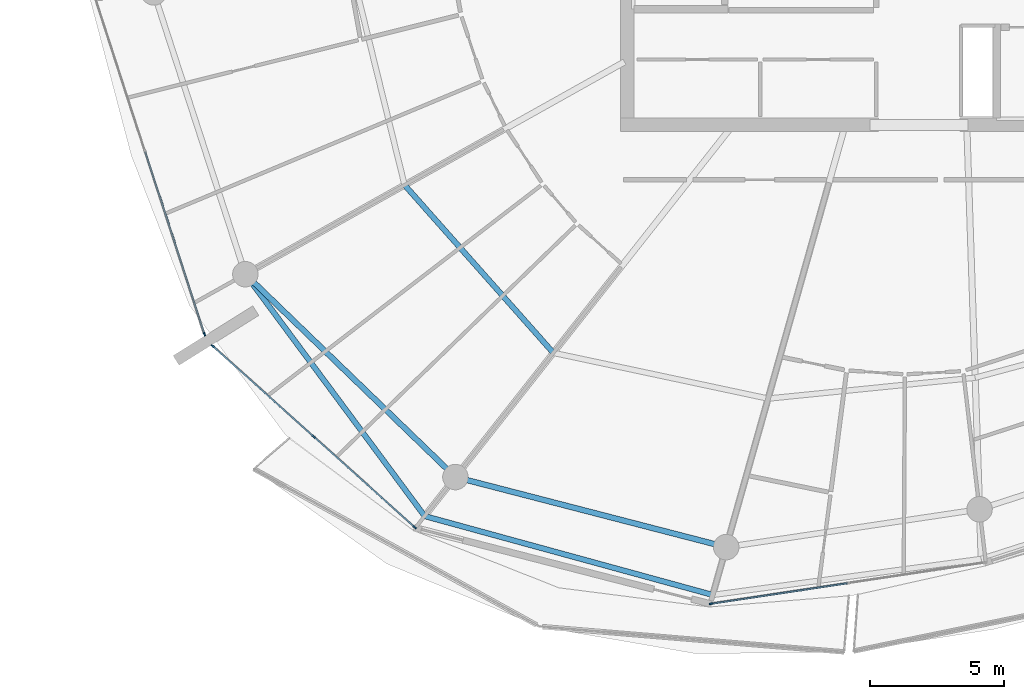
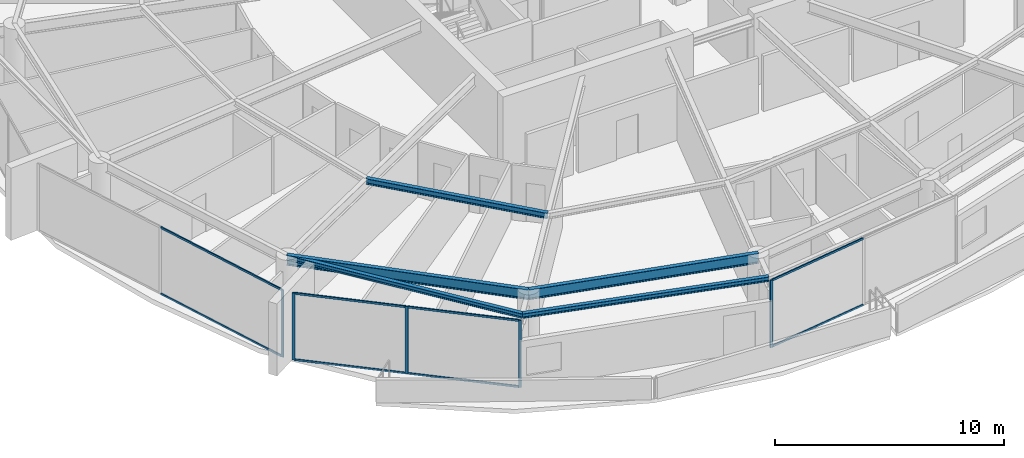
# One storey, part 6 of 30: 13 members, 5 beams, 3 elements without a shape of their own.
"""IFC4 building model written with IfcOpenShell, lengths in metres."""

from ifc_helpers import new_model, si_unit, direction, frame, origin, origin_2d, place, context, subcontext, project, spatial, rectangle, i_section, extrude, material, layer, layer_set, material_profile, profile_set, type_object, element, aggregate, save


model = new_model("IFC4")

# Units and contexts
model_context = context("Model", 3, precision=1e-05, world=origin(), true_north=direction((0.0, 1.0)))
body_context = subcontext(model_context, "Body", "Model", "MODEL_VIEW")
ifc_project = project(units=[si_unit("LENGTHUNIT", "METRE"), si_unit("AREAUNIT", "SQUARE_METRE"), si_unit("VOLUMEUNIT", "CUBIC_METRE"), si_unit("PLANEANGLEUNIT", "RADIAN"), si_unit("MASSUNIT", "GRAM", prefix="KILO")], contexts=[model_context])

# Site, building, storey
site_placement = place(None, origin())
site = spatial("IfcSite", under=ifc_project, at=site_placement, CompositionType="ELEMENT")
building_placement = place(site_placement, origin())
building = spatial("IfcBuilding", under=site, at=building_placement, Name="Kazma Halo Residences", CompositionType="ELEMENT")
storey_placement = place(building_placement, frame((0.0, 0.0, 290.60009765625)))
storey = spatial("IfcBuildingStorey", under=building, at=storey_placement, Name="L73", CompositionType="ELEMENT", Elevation=290.60009765625)

# Beams
ifc_material_1 = material(Name="Steel S355", Category="steel")
ifc_material_profile_1 = material_profile(ifc_material_1, i_section(OverallWidth=0.201904296875, OverallDepth=0.2470703125, WebThickness=0.00732421875, FlangeThickness=0.010986328125, FilletRadius=0.011962890625, at=origin_2d()), Name="W250x49.1")
ifc_profile_set_1 = profile_set([ifc_material_profile_1], Name="Steel S355")
beam_type_1 = type_object("IfcBeamType", Name="BM-BAL-CANT", PredefinedType="BEAM", material=ifc_profile_set_1)
beam_1_placement = place(storey_placement, frame((23.32958984375, 28.18408203125, 3.46630859375), z_axis=(0.595556062515, -0.803313747176, 0.0), x_axis=(0.803313747176, 0.595556062515, 0.0)))
element("IfcBeam", 1, at=beam_1_placement, inside=storey, type_object=beam_type_1, Name="L73 wave-balcony lead tie beam 09", PredefinedType="BEAM", context=body_context, shape_type="SweptSolid", body=[
    extrude(i_section(OverallWidth=0.201904296875, OverallDepth=0.2470703125, WebThickness=0.00732421875, FlangeThickness=0.010986328125, FilletRadius=0.011962890625, at=origin_2d()), origin(), (0.0, 0.0, 1.0), 11.213134765625),
])
beam_2_placement = place(storey_placement, frame((30.007568359375, 19.176513671875, 3.46630859375), z_axis=(0.964514665976, -0.264029277006, 0.0), x_axis=(0.264029277006, 0.964514665976, 0.0)))
element("IfcBeam", 2, at=beam_2_placement, inside=storey, type_object=beam_type_1, Name="L73 wave-balcony tie beam 10", PredefinedType="BEAM", context=body_context, shape_type="SweptSolid", body=[
    extrude(i_section(OverallWidth=0.201904296875, OverallDepth=0.2470703125, WebThickness=0.00732421875, FlangeThickness=0.010986328125, FilletRadius=0.011962890625, at=origin_2d()), origin(), (0.0, 0.0, 1.0), 11.1220703125),
])
ifc_material_profile_2 = material_profile(ifc_material_1, i_section(OverallWidth=0.202880859375, OverallDepth=0.302978515625, WebThickness=0.007568359375, FlangeThickness=0.01318359375, FilletRadius=0.013916015625, at=origin_2d()), Name="W310x60")
ifc_profile_set_2 = profile_set([ifc_material_profile_2], Name="Steel S355")
beam_type_2 = type_object("IfcBeamType", Name="BM-SEC-W310A", PredefinedType="JOIST", material=ifc_profile_set_2)
beam_3_placement = place(storey_placement, frame((29.26025390625, 31.505126953125, 3.4384765625), z_axis=(0.663307142238, -0.748347269024, 0.0), x_axis=(0.748347269024, 0.663307142238, 0.0)))
element("IfcBeam", 3, at=beam_3_placement, inside=storey, type_object=beam_type_2, Name="L73 circumferential floor joist 09", PredefinedType="JOIST", context=body_context, shape_type="SweptSolid", body=[
    extrude(i_section(OverallWidth=0.202880859375, OverallDepth=0.302978515625, WebThickness=0.007568359375, FlangeThickness=0.01318359375, FilletRadius=0.013916015625, at=origin_2d()), origin(), (0.0, 0.0, 1.0), 8.351318359375),
])
ifc_material_profile_3 = material_profile(ifc_material_1, i_section(OverallWidth=0.208984375, OverallDepth=0.532958984375, WebThickness=0.01025390625, FlangeThickness=0.015625, FilletRadius=0.01611328125, at=origin_2d()), Name="W530x92")
ifc_profile_set_3 = profile_set([ifc_material_profile_3], Name="Steel S355")
beam_type_3 = type_object("IfcBeamType", Name="BM-SPN-W530", PredefinedType="BEAM", material=ifc_profile_set_3)
beam_4_placement = place(storey_placement, frame((23.32958984375, 28.18408203125, 3.323486328125), z_axis=(0.719345757929, -0.694652201141, 0.0), x_axis=(0.694652201141, 0.719345757929, 0.0)))
element("IfcBeam", 4, at=beam_4_placement, inside=storey, type_object=beam_type_3, Name="L73 perimeter ring beam 09", PredefinedType="BEAM", context=body_context, shape_type="SweptSolid", body=[
    extrude(i_section(OverallWidth=0.208984375, OverallDepth=0.532958984375, WebThickness=0.01025390625, FlangeThickness=0.015625, FilletRadius=0.01611328125, at=origin_2d()), origin(), (0.0, 0.0, 1.0), 10.87548828125),
])
beam_5_placement = place(storey_placement, frame((31.15283203125, 20.62939453125, 3.323486328125), z_axis=(0.968126042852, -0.250463500639, 0.0), x_axis=(0.250463500639, 0.968126042852, 0.0)))
element("IfcBeam", 5, at=beam_5_placement, inside=storey, type_object=beam_type_3, Name="L73 perimeter ring beam 10", PredefinedType="BEAM", context=body_context, shape_type="SweptSolid", body=[
    extrude(i_section(OverallWidth=0.208984375, OverallDepth=0.532958984375, WebThickness=0.01025390625, FlangeThickness=0.015625, FilletRadius=0.01611328125, at=origin_2d()), origin(), (0.0, 0.0, 1.0), 10.416259765625),
])

# Curtain wall, member
ifc_material_2 = material(Name="Aluminium AW-6063 T6 and Triple-Silver Low-E Glass", Category="aluminium")
ifc_layer = layer(ifc_material_2, 0.139892578125)
ifc_layer_set = layer_set([ifc_layer], Name="Aluminium AW-6063 T6 and Triple-Silver Low-E Glass")
curtain_wall_type = type_object("IfcCurtainWallType", Name="CW-SYS-5", PredefinedType="NOTDEFINED", material=ifc_layer_set)
curtain_wall_1_placement = place(storey_placement, origin())
curtain_wall_1 = element("IfcCurtainWall", 6, at=curtain_wall_1_placement, inside=storey, type_object=curtain_wall_type, Name="L73 unitised curtain wall B08", PredefinedType="NOTDEFINED")
ifc_material_3 = material(Name="Aluminium AW-6063 T6", Category="aluminium")
ifc_material_profile_4 = material_profile(ifc_material_3, rectangle(XDim=0.06005859375, YDim=0.139892578125, at=origin_2d()), Name="CWM-60x140")
ifc_profile_set_4 = profile_set([ifc_material_profile_4], Name="Aluminium AW-6063 T6")
member_type_1 = type_object("IfcMemberType", Name="CW-SYS-5-MUL", PredefinedType="MULLION", material=ifc_profile_set_4)
member_1_placement = place(storey_placement, frame((21.8076171875, 25.9521484375, 0.0), z_axis=(0.0, 0.0, 1.0), x_axis=(0.951058464359, 0.309010998786, 0.0)))
member_1 = element("IfcMember", 7, at=member_1_placement, type_object=member_type_1, Name="CWS-5 mullion 3", PredefinedType="MULLION", context=body_context, shape_type="SweptSolid", body=[
    extrude(rectangle(XDim=0.06005859375, YDim=0.139892578125, at=origin_2d()), origin(), (0.0, 0.0, 1.0), 3.58984375),
])

# Curtain wall, members
curtain_wall_2_placement = place(storey_placement, origin())
curtain_wall_2 = element("IfcCurtainWall", 8, at=curtain_wall_2_placement, inside=storey, type_object=curtain_wall_type, Name="L73 unitised curtain wall B09", PredefinedType="NOTDEFINED")
member_2_placement = place(storey_placement, frame((22.11669921875, 25.508056640625, 0.0), z_axis=(0.0, 0.0, 1.0), x_axis=(0.667804826958, 0.744336424671, 0.0)))
member_2 = element("IfcMember", 9, at=member_2_placement, type_object=member_type_1, Name="CWS-5 mullion 1", PredefinedType="MULLION", context=body_context, shape_type="SweptSolid", body=[
    extrude(rectangle(XDim=0.06005859375, YDim=0.139892578125, at=origin_2d()), origin(), (0.0, 0.0, 1.0), 3.58984375),
])
member_3_placement = place(storey_placement, frame((25.878173828125, 22.13330078125, 0.0), z_axis=(0.0, 0.0, 1.0), x_axis=(0.667804826958, 0.744336424671, 0.0)))
member_3 = element("IfcMember", 10, at=member_3_placement, type_object=member_type_1, Name="CWS-5 mullion 2", PredefinedType="MULLION", context=body_context, shape_type="SweptSolid", body=[
    extrude(rectangle(XDim=0.06005859375, YDim=0.139892578125, at=origin_2d()), origin(), (0.0, 0.0, 1.0), 3.58984375),
])
member_4_placement = place(storey_placement, frame((29.6396484375, 18.758544921875, 0.0), z_axis=(0.0, 0.0, 1.0), x_axis=(0.667804826958, 0.744336424671, 0.0)))
member_4 = element("IfcMember", 11, at=member_4_placement, type_object=member_type_1, Name="CWS-5 mullion 3", PredefinedType="MULLION", context=body_context, shape_type="SweptSolid", body=[
    extrude(rectangle(XDim=0.06005859375, YDim=0.139892578125, at=origin_2d()), origin(), (0.0, 0.0, 1.0), 3.58984375),
])

# Curtain wall, member
curtain_wall_3_placement = place(storey_placement, origin())
curtain_wall_3 = element("IfcCurtainWall", 12, at=curtain_wall_3_placement, inside=storey, type_object=curtain_wall_type, Name="L73 unitised curtain wall B11", PredefinedType="NOTDEFINED")
member_5_placement = place(storey_placement, frame((40.671142578125, 15.912841796875, 0.0), z_axis=(0.0, 0.0, 1.0), x_axis=(-0.148697080374, 0.988882792998, 0.0)))
member_5 = element("IfcMember", 13, at=member_5_placement, type_object=member_type_1, Name="CWS-5 mullion 1", PredefinedType="MULLION", context=body_context, shape_type="SweptSolid", body=[
    extrude(rectangle(XDim=0.06005859375, YDim=0.139892578125, at=origin_2d()), origin(), (0.0, 0.0, 1.0), 3.58984375),
])

# Member
ifc_material_profile_5 = material_profile(ifc_material_3, rectangle(XDim=0.06005859375, YDim=0.10498046875, at=origin_2d()), Name="CWT-60x105")
ifc_profile_set_5 = profile_set([ifc_material_profile_5], Name="Aluminium AW-6063 T6")
member_type_2 = type_object("IfcMemberType", Name="CW-SYS-5-TRN", PredefinedType="USERDEFINED", material=ifc_profile_set_5)
member_6_placement = place(storey_placement, frame((19.6015625, 32.7412109375, 0.02978515625), z_axis=(0.309027052142, -0.95105324827, 0.0), x_axis=(0.95105324827, 0.309027052142, 0.0)))
member_6 = element("IfcMember", 14, at=member_6_placement, type_object=member_type_2, Name="CWS-5 transom 2.1", ObjectType="TRANSOM", PredefinedType="USERDEFINED", context=body_context, shape_type="SweptSolid", body=[
    extrude(rectangle(XDim=0.06005859375, YDim=0.10498046875, at=origin_2d()), origin(), (0.0, 0.0, 1.0), 7.108642578125),
])

member_7_placement = place(storey_placement, frame((19.6015625, 32.7412109375, 3.559814453125), z_axis=(0.309027052142, -0.95105324827, 0.0), x_axis=(0.95105324827, 0.309027052142, 0.0)))
member_7 = element("IfcMember", 15, at=member_7_placement, type_object=member_type_2, Name="CWS-5 transom 2.2", ObjectType="TRANSOM", PredefinedType="USERDEFINED", context=body_context, shape_type="SweptSolid", body=[
    extrude(rectangle(XDim=0.06005859375, YDim=0.10498046875, at=origin_2d()), origin(), (0.0, 0.0, 1.0), 7.108642578125),
])

aggregate(curtain_wall_1, [member_1, member_6, member_7])

member_8_placement = place(storey_placement, frame((22.138916015625, 25.488037109375, 0.02978515625), z_axis=(0.744328897483, -0.667813216679, 0.0), x_axis=(0.667813216679, 0.744328897483, 0.0)))
member_8 = element("IfcMember", 16, at=member_8_placement, type_object=member_type_2, Name="CWS-5 transom 1.1", ObjectType="TRANSOM", PredefinedType="USERDEFINED", context=body_context, shape_type="SweptSolid", body=[
    extrude(rectangle(XDim=0.06005859375, YDim=0.10498046875, at=origin_2d()), origin(), (0.0, 0.0, 1.0), 4.993408203125),
])

member_9_placement = place(storey_placement, frame((22.138916015625, 25.488037109375, 3.559814453125), z_axis=(0.744328897483, -0.667813216679, 0.0), x_axis=(0.667813216679, 0.744328897483, 0.0)))
member_9 = element("IfcMember", 17, at=member_9_placement, type_object=member_type_2, Name="CWS-5 transom 1.2", ObjectType="TRANSOM", PredefinedType="USERDEFINED", context=body_context, shape_type="SweptSolid", body=[
    extrude(rectangle(XDim=0.06005859375, YDim=0.10498046875, at=origin_2d()), origin(), (0.0, 0.0, 1.0), 4.993408203125),
])

member_10_placement = place(storey_placement, frame((25.900390625, 22.11328125, 0.02978515625), z_axis=(0.744350700793, -0.667788914425, 0.0), x_axis=(0.667788914425, 0.744350700793, 0.0)))
member_10 = element("IfcMember", 18, at=member_10_placement, type_object=member_type_2, Name="CWS-5 transom 2.1", ObjectType="TRANSOM", PredefinedType="USERDEFINED", context=body_context, shape_type="SweptSolid", body=[
    extrude(rectangle(XDim=0.06005859375, YDim=0.10498046875, at=origin_2d()), origin(), (0.0, 0.0, 1.0), 4.99365234375),
])

member_11_placement = place(storey_placement, frame((25.900390625, 22.11328125, 3.559814453125), z_axis=(0.744350700793, -0.667788914425, 0.0), x_axis=(0.667788914425, 0.744350700793, 0.0)))
member_11 = element("IfcMember", 19, at=member_11_placement, type_object=member_type_2, Name="CWS-5 transom 2.2", ObjectType="TRANSOM", PredefinedType="USERDEFINED", context=body_context, shape_type="SweptSolid", body=[
    extrude(rectangle(XDim=0.06005859375, YDim=0.10498046875, at=origin_2d()), origin(), (0.0, 0.0, 1.0), 4.99365234375),
])

aggregate(curtain_wall_2, [member_2, member_3, member_4, member_8, member_9, member_10, member_11])

member_12_placement = place(storey_placement, frame((40.70068359375, 15.917236328125, 0.02978515625), z_axis=(0.988883972013, 0.148689239341, 0.0), x_axis=(-0.148689239341, 0.988883972013, 0.0)))
member_12 = element("IfcMember", 20, at=member_12_placement, type_object=member_type_2, Name="CWS-5 transom 1.1", ObjectType="TRANSOM", PredefinedType="USERDEFINED", context=body_context, shape_type="SweptSolid", body=[
    extrude(rectangle(XDim=0.06005859375, YDim=0.10498046875, at=origin_2d()), origin(), (0.0, 0.0, 1.0), 5.099853515625),
])

member_13_placement = place(storey_placement, frame((40.70068359375, 15.917236328125, 3.559814453125), z_axis=(0.988883972013, 0.148689239341, 0.0), x_axis=(-0.148689239341, 0.988883972013, 0.0)))
member_13 = element("IfcMember", 21, at=member_13_placement, type_object=member_type_2, Name="CWS-5 transom 1.2", ObjectType="TRANSOM", PredefinedType="USERDEFINED", context=body_context, shape_type="SweptSolid", body=[
    extrude(rectangle(XDim=0.06005859375, YDim=0.10498046875, at=origin_2d()), origin(), (0.0, 0.0, 1.0), 5.099853515625),
])

aggregate(curtain_wall_3, [member_5, member_12, member_13])

save(model, "model.ifc")
